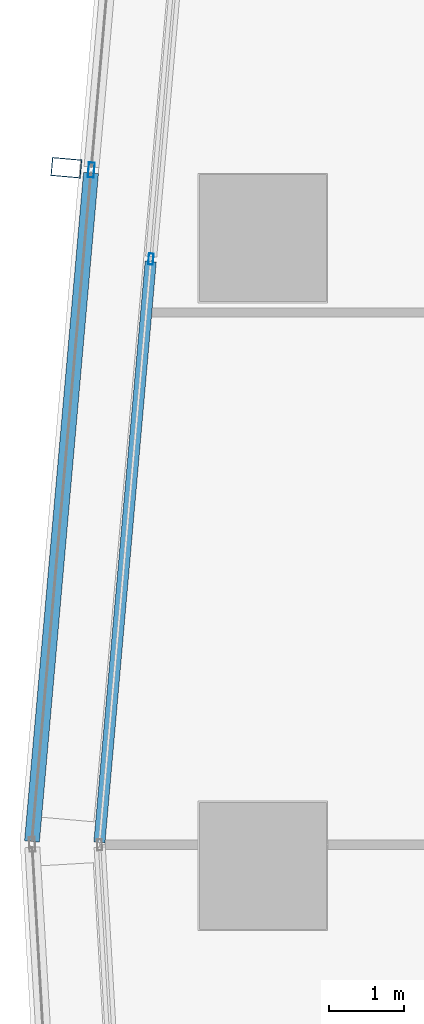
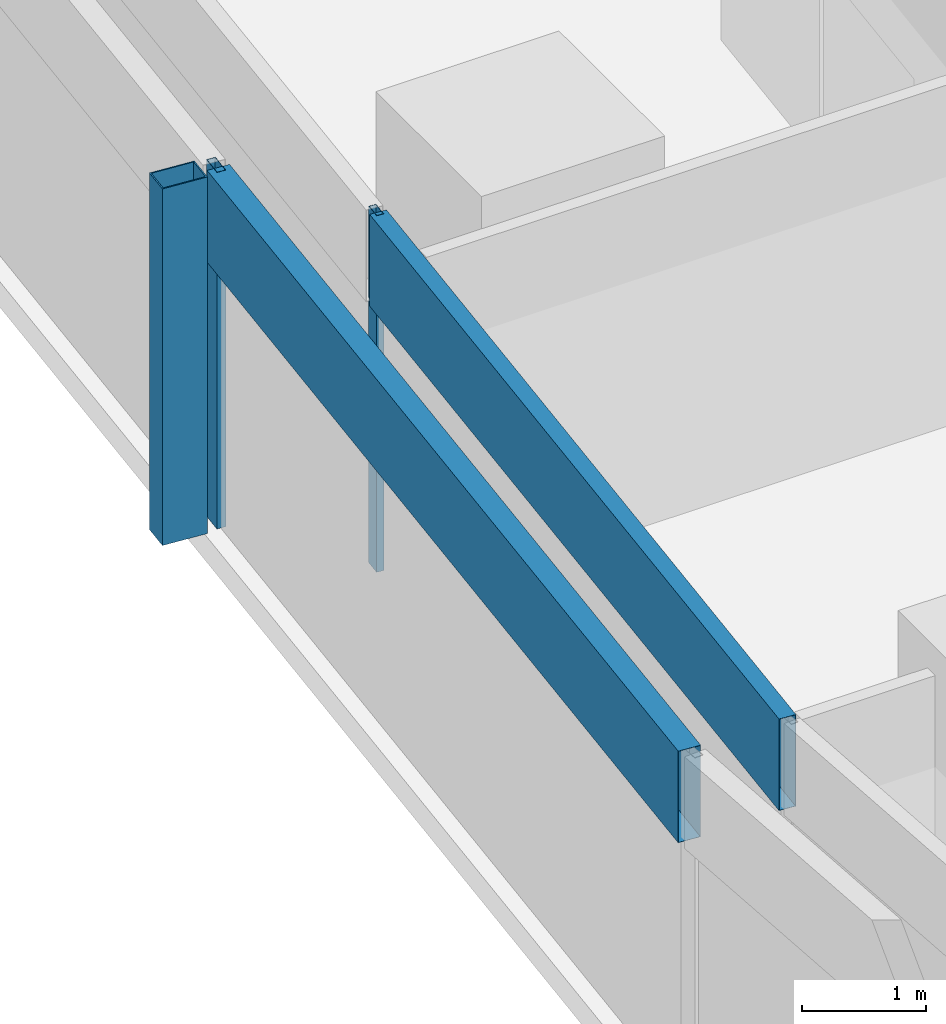
# One storey, part 14 of 34: 5 members, 2 elements without a shape of their own.
"""IFC4 building model written with IfcOpenShell, lengths in metres."""

from ifc_helpers import new_model, si_unit, direction, frame, origin, origin_2d, place, context, subcontext, project, spatial, hollow_rectangle, extrude, material, material_profile, profile_set, type_object, element, aggregate, save


model = new_model("IFC4")

# Units and contexts
model_context = context("Model", 3, precision=1e-05, world=origin(), true_north=direction((0.0, 1.0)))
body_context = subcontext(model_context, "Body", "Model", "MODEL_VIEW")
ifc_project = project(units=[si_unit("LENGTHUNIT", "METRE"), si_unit("AREAUNIT", "SQUARE_METRE"), si_unit("VOLUMEUNIT", "CUBIC_METRE"), si_unit("PLANEANGLEUNIT", "RADIAN"), si_unit("MASSUNIT", "GRAM", prefix="KILO")], contexts=[model_context])

# Site, building, storey
site_placement = place(None, origin())
site = spatial("IfcSite", under=ifc_project, at=site_placement, CompositionType="ELEMENT")
building_placement = place(site_placement, origin())
building = spatial("IfcBuilding", under=site, at=building_placement, Name="Rekha Terrace Tower", CompositionType="ELEMENT")
storey_placement = place(building_placement, frame((0.0, 0.0, 176.449951171875)))
storey = spatial("IfcBuildingStorey", under=building, at=storey_placement, Name="L44", CompositionType="ELEMENT", Elevation=176.449951171875)

# Curtain wall, member
ifc_material_1 = material(Name="Aluminium framing", Category="aluminium")
curtain_wall_type_1 = type_object("IfcCurtainWallType", Name="CW2 double skin outer glazing", PredefinedType="USERDEFINED", material=ifc_material_1)
curtain_wall_1_placement = place(storey_placement, origin())
curtain_wall_1 = element("IfcCurtainWall", 1, at=curtain_wall_1_placement, inside=storey, type_object=curtain_wall_type_1, Name="CW2 double skin outer glazing", ObjectType="DOUBLE SKIN OUTER GLAZING", PredefinedType="USERDEFINED")
ifc_material_2 = material(Name="Steel S355 with fluorocarbon finish", Category="steel")
ifc_material_profile_1 = material_profile(ifc_material_2, hollow_rectangle(XDim=0.25, YDim=0.39990234375, WallThickness=0.012451171875, at=origin_2d()), Name="RHS400x250x12.5")
ifc_profile_set_1 = profile_set([ifc_material_profile_1], Name="Steel S355 with fluorocarbon finish")
member_type_1 = type_object("IfcMemberType", Name="BL1 facade blade RHS 400 x 250", PredefinedType="USERDEFINED", material=ifc_profile_set_1)
member_1_placement = place(storey_placement, frame((5.77001953125, 51.341796875, 0.0), z_axis=(0.0, 0.0, 1.0), x_axis=(-0.087957249501, -0.996124250413, 0.0)))
member_1 = element("IfcMember", 2, at=member_1_placement, type_object=member_type_1, Name="Facade blade", ObjectType="FACADE BLADE", PredefinedType="USERDEFINED", context=body_context, shape_type="SweptSolid", body=[
    extrude(hollow_rectangle(XDim=0.25, YDim=0.39990234375, WallThickness=0.012451171875, at=origin_2d()), origin(), (0.0, 0.0, 1.0), 3.5),
])

# Curtain wall, members
curtain_wall_type_2 = type_object("IfcCurtainWallType", Name="CW1 double skin inner glazing", PredefinedType="USERDEFINED", material=ifc_material_1)
curtain_wall_2_placement = place(storey_placement, origin())
curtain_wall_2 = element("IfcCurtainWall", 3, at=curtain_wall_2_placement, inside=storey, type_object=curtain_wall_type_2, Name="CW1 double skin inner glazing", ObjectType="DOUBLE SKIN INNER GLAZING", PredefinedType="USERDEFINED")
ifc_material_3 = material(Name="Aluminium mullion section", Category="aluminium")
ifc_material_profile_2 = material_profile(ifc_material_3, hollow_rectangle(XDim=0.06494140625, YDim=0.14990234375, WallThickness=0.00390625, at=origin_2d()), Name="AL RHS 65x150")
ifc_profile_set_2 = profile_set([ifc_material_profile_2], Name="Aluminium mullion section")
member_type_2 = type_object("IfcMemberType", Name="CW1 mullion RHS 65 x 150", PredefinedType="MULLION", material=ifc_profile_set_2)
member_2_placement = place(storey_placement, frame((6.902099609375, 50.120361328125, 0.0), z_axis=(0.0, 0.0, 1.0), x_axis=(0.996124185425, -0.087957985488, 0.0)))
member_2 = element("IfcMember", 4, at=member_2_placement, type_object=member_type_2, Name="CW1 mullion 2", PredefinedType="MULLION", context=body_context, shape_type="SweptSolid", body=[
    extrude(hollow_rectangle(XDim=0.06494140625, YDim=0.14990234375, WallThickness=0.00390625, at=origin_2d()), origin(), (0.0, 0.0, 1.0), 3.5),
])
ifc_material_4 = material(Name="Insulated aluminium spandrel box", Category="aluminium")
ifc_material_profile_3 = material_profile(ifc_material_4, hollow_rectangle(XDim=0.14990234375, YDim=0.89990234375, WallThickness=0.0029296875, at=origin_2d()), Name="AL SPANDREL BOX 150x900")
ifc_profile_set_3 = profile_set([ifc_material_profile_3], Name="Insulated aluminium spandrel box")
member_type_3 = type_object("IfcMemberType", Name="CW1 spandrel transom 150 x 900", PredefinedType="USERDEFINED", material=ifc_profile_set_3)
member_3_placement = place(storey_placement, frame((6.899169921875, 50.087890625, 3.050048828125), z_axis=(-0.087974158084, -0.996122757249, 0.0), x_axis=(0.996122757249, -0.087974158084, 0.0)))
member_3 = element("IfcMember", 5, at=member_3_placement, type_object=member_type_3, Name="CW1 spandrel transom 2", ObjectType="TRANSOM", PredefinedType="USERDEFINED", context=body_context, shape_type="SweptSolid", body=[
    extrude(hollow_rectangle(XDim=0.14990234375, YDim=0.89990234375, WallThickness=0.0029296875, at=origin_2d()), origin(), (0.0, 0.0, 1.0), 7.8037109375),
])
aggregate(curtain_wall_2, [member_2, member_3])

# Member
ifc_material_profile_4 = material_profile(ifc_material_3, hollow_rectangle(XDim=0.080078125, YDim=0.199951171875, WallThickness=0.00390625, at=origin_2d()), Name="AL RHS 80x200")
ifc_profile_set_4 = profile_set([ifc_material_profile_4], Name="Aluminium mullion section")
member_type_4 = type_object("IfcMemberType", Name="CW2 mullion RHS 80 x 200", PredefinedType="MULLION", material=ifc_profile_set_4)
member_4_placement = place(storey_placement, frame((6.103759765625, 51.312255859375, 0.0), z_axis=(0.0, 0.0, 1.0), x_axis=(0.996124185428, -0.087957985453, 0.0)))
member_4 = element("IfcMember", 6, at=member_4_placement, type_object=member_type_4, Name="CW2 mullion 2", PredefinedType="MULLION", context=body_context, shape_type="SweptSolid", body=[
    extrude(hollow_rectangle(XDim=0.080078125, YDim=0.199951171875, WallThickness=0.00390625, at=origin_2d()), origin(), (0.0, 0.0, 1.0), 3.5),
])

ifc_material_profile_5 = material_profile(ifc_material_4, hollow_rectangle(XDim=0.199951171875, YDim=0.89990234375, WallThickness=0.0029296875, at=origin_2d()), Name="AL SPANDREL BOX 200x900")
ifc_profile_set_5 = profile_set([ifc_material_profile_5], Name="Insulated aluminium spandrel box")
member_type_5 = type_object("IfcMemberType", Name="CW2 spandrel transom 200 x 900", PredefinedType="USERDEFINED", material=ifc_profile_set_5)
member_5_placement = place(storey_placement, frame((6.100341796875, 51.2724609375, 3.050048828125), z_axis=(-0.087981092326, -0.996122144816, 0.0), x_axis=(0.996122144816, -0.087981092326, 0.0)))
member_5 = element("IfcMember", 7, at=member_5_placement, type_object=member_type_5, Name="CW2 spandrel transom 2", ObjectType="TRANSOM", PredefinedType="USERDEFINED", context=body_context, shape_type="SweptSolid", body=[
    extrude(hollow_rectangle(XDim=0.199951171875, YDim=0.89990234375, WallThickness=0.0029296875, at=origin_2d()), origin(), (0.0, 0.0, 1.0), 8.979736328125),
])

aggregate(curtain_wall_1, [member_4, member_5, member_1])

save(model, "model.ifc")
